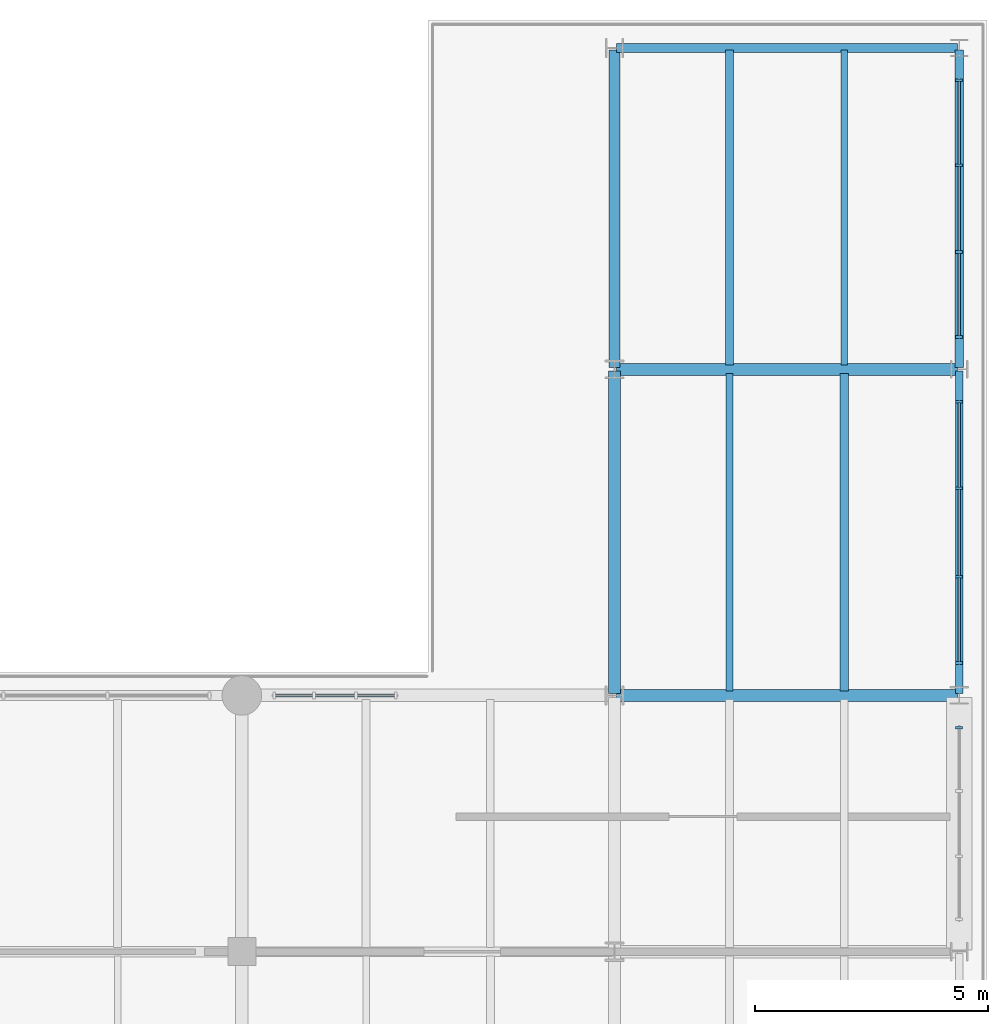
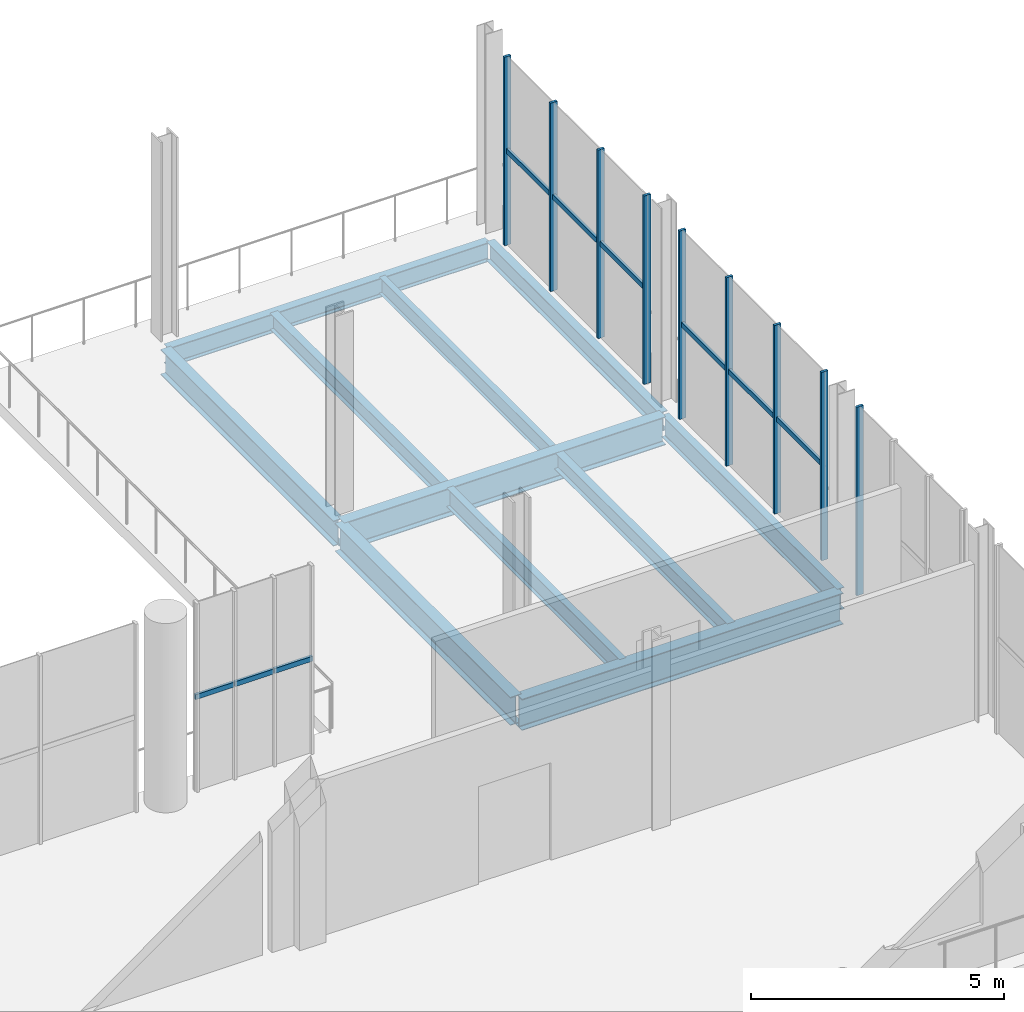
# One storey, part 41 of 70: 18 members, 11 beams, 4 elements without a shape of their own.
"""IFC4 building model written with IfcOpenShell, lengths in metres."""

import ifcopenshell
import ifcopenshell.guid

model = None  # the IFC model being written
_history = None  # IfcOwnerHistory: only IFC2X3 demands one
_inside = {}  # id of a spatial element -> (the spatial element, [elements in it])
_under = {}  # id of a project, library or spatial element -> (it, [spatial elements below it])
_declared = {}  # id of a project -> (the project, [libraries it declares])
_typed = {}  # id of a type object -> (the type object, [elements of that type])
_made_of = {}  # id of a material, layer set ... -> (it, [elements and type objects made of it])


def new_model(schema):
    """Start an empty IFC model of exactly this schema.

    Asked for "IFC4X3", IfcOpenShell would pick the latest addendum, in which some entities
    have other attributes; the version numbers below select the first issue.
    IFC2X3 requires an IfcOwnerHistory on every rooted entity: one is made here for all.
    """
    global model, _history
    if schema == "IFC4X3":
        model = ifcopenshell.file(schema_version=(4, 3, 0, 0))
    else:
        model = ifcopenshell.file(schema=schema)
    _inside.clear()
    _under.clear()
    _declared.clear()
    _typed.clear()
    _made_of.clear()
    _history = None
    if model.schema == "IFC2X3":
        org = make("IfcOrganization", Name="unknown")
        user = make(
            "IfcPersonAndOrganization",
            ThePerson=make("IfcPerson", FamilyName="unknown"),
            TheOrganization=org,
        )
        app = make(
            "IfcApplication",
            ApplicationDeveloper=org,
            Version="unknown",
            ApplicationFullName="unknown",
            ApplicationIdentifier="unknown",
        )
        _history = make(
            "IfcOwnerHistory",
            OwningUser=user,
            OwningApplication=app,
            ChangeAction="ADDED",
            CreationDate=0,
        )
    return model


def make(cls, **values):
    """One entity of the class cls with the attributes given. An attribute that is None is left unset."""
    return model.create_entity(
        cls, **{name: value for name, value in values.items() if value is not None}
    )


def rooted(cls, **values):
    """An entity with a GlobalId (a new one), such as an element, a storey or a relation."""
    return make(cls, GlobalId=ifcopenshell.guid.new(), OwnerHistory=_history, **values)


def si_unit(unit_type, name, prefix=None):
    """IfcSIUnit, for example si_unit("LENGTHUNIT", "METRE", prefix="MILLI")."""
    return make("IfcSIUnit", UnitType=unit_type, Prefix=prefix, Name=name)


def assignment(units):
    """IfcUnitAssignment: the units of a project."""
    return None if units is None else make("IfcUnitAssignment", Units=units)


def point(xyz):
    """IfcCartesianPoint."""
    return None if xyz is None else make("IfcCartesianPoint", Coordinates=xyz)


def direction(xyz):
    """IfcDirection."""
    return None if xyz is None else make("IfcDirection", DirectionRatios=xyz)


def frame(location, z_axis=None, x_axis=None):
    """IfcAxis2Placement3D, a coordinate frame: its origin and axes. An axis left out is left unset."""
    return make(
        "IfcAxis2Placement3D",
        Location=point(location),
        Axis=direction(z_axis),
        RefDirection=direction(x_axis),
    )


def frame_2d(location, x_axis=None):
    """IfcAxis2Placement2D, a coordinate frame in the plane: its origin and x axis."""
    return make(
        "IfcAxis2Placement2D", Location=point(location), RefDirection=direction(x_axis)
    )


def origin():
    """The frame at (0, 0, 0) with its axes left unset."""
    return frame((0.0, 0.0, 0.0))


def origin_2d():
    """The frame at (0, 0) in the plane with its x axis left unset."""
    return frame_2d((0.0, 0.0))


def place(relative_to, where):
    """IfcLocalPlacement: puts the frame where relative to a parent placement (None: the world)."""
    return make(
        "IfcLocalPlacement", PlacementRelTo=relative_to, RelativePlacement=where
    )


def context(
    kind, dimensions, precision=None, world=None, true_north=None, identifier=None
):
    """IfcGeometricRepresentationContext, for example the 3D "Model" context."""
    return make(
        "IfcGeometricRepresentationContext",
        ContextIdentifier=identifier,
        ContextType=kind,
        CoordinateSpaceDimension=dimensions,
        Precision=precision,
        WorldCoordinateSystem=world,
        TrueNorth=true_north,
    )


def subcontext(parent, identifier, kind, view, scale=None):
    """IfcGeometricRepresentationSubContext, for example "Body" below "Model"."""
    return make(
        "IfcGeometricRepresentationSubContext",
        ContextIdentifier=identifier,
        ContextType=kind,
        ParentContext=parent,
        TargetScale=scale,
        TargetView=view,
    )


def project(units=None, contexts=None):
    """IfcProject with its units and contexts."""
    return rooted(
        "IfcProject",
        Name="project",
        RepresentationContexts=contexts,
        UnitsInContext=assignment(units),
    )


def spatial(cls, under=None, at=None, **own):
    """A site, building, storey or space (cls), placed at a placement, below another one or the project."""
    s = rooted(cls, ObjectPlacement=at, **own)
    if under is not None:
        _under.setdefault(under.id(), (under, []))[1].append(s)
    return s


def profile(cls, at=None, kind="AREA", **sizes):
    """A parametric profile (cls). Its sizes go by their IFC names, for example OverallWidth=200.0."""
    return make(cls, ProfileType=kind, Position=at, **sizes)


def rectangle(**sizes):
    """IfcRectangleProfileDef."""
    return profile("IfcRectangleProfileDef", **sizes)


def i_section(**sizes):
    """IfcIShapeProfileDef."""
    return profile("IfcIShapeProfileDef", **sizes)


def extrude(swept, where, along, depth):
    """IfcExtrudedAreaSolid: the profile swept, set in the frame where, extruded along a direction by depth."""
    return make(
        "IfcExtrudedAreaSolid",
        SweptArea=swept,
        Position=where,
        ExtrudedDirection=direction(along),
        Depth=depth,
    )


def shape(context_of_items, identifier, shape_type, items):
    """IfcShapeRepresentation: the items that make up one representation, for example the "Body"."""
    return make(
        "IfcShapeRepresentation",
        ContextOfItems=context_of_items,
        RepresentationIdentifier=identifier,
        RepresentationType=shape_type,
        Items=items,
    )


def material(Name=None, Category=None):
    """IfcMaterial."""
    return make("IfcMaterial", Name=Name, Category=Category)


def material_profile(
    of_material, cross_section, Name=None, Category=None, Priority=None
):
    """IfcMaterialProfile: a cross section and its material."""
    return make(
        "IfcMaterialProfile",
        Name=Name,
        Material=of_material,
        Profile=cross_section,
        Priority=Priority,
        Category=Category,
    )


def profile_set(profiles, Name=None, composite=None):
    """IfcMaterialProfileSet."""
    return make(
        "IfcMaterialProfileSet",
        Name=Name,
        MaterialProfiles=profiles,
        CompositeProfile=composite,
    )


def made_of(thing, what):
    """Note that an element or type object is made of a material, layer set ...; save() writes the relation."""
    if what is not None:
        _made_of.setdefault(what.id(), (what, []))[1].append(thing)
    return thing


def type_object(cls, material=None, **own):
    """A type object (cls), such as IfcWallType, which elements share."""
    return made_of(rooted(cls, **own), material)


def element(
    cls,
    number,
    at=None,
    inside=None,
    cuts=None,
    type_object=None,
    material=None,
    context=None,
    identifier="Body",
    shape_type=None,
    held_by="IfcProductDefinitionShape",
    body=None,
    shapes=None,
    **own,
):
    """One element of the class cls, such as IfcWall. Its Tag is "e" and its number.

    at: its placement. inside: the storey or other place that contains it. cuts: it is an
    opening in that element (IfcRelVoidsElement). A single representation is given by context,
    identifier, shape_type and body (its items); several are given by shapes. held_by: the class
    of the entity that holds the representations. save() writes the other relations.
    """
    e = rooted(cls, Tag="e%d" % number, ObjectPlacement=at, **own)
    if body is not None:
        shapes = [shape(context, identifier, shape_type, body)]
    if shapes is not None:
        e.Representation = make(held_by, Representations=shapes)
    if inside is not None:
        _inside.setdefault(inside.id(), (inside, []))[1].append(e)
    if cuts is not None:
        rooted(
            "IfcRelVoidsElement", RelatingBuildingElement=cuts, RelatedOpeningElement=e
        )
    if type_object is not None:
        _typed.setdefault(type_object.id(), (type_object, []))[1].append(e)
    return made_of(e, material)


def aggregate(whole, parts):
    """IfcRelAggregates: a whole, such as a stair, and the parts it consists of."""
    return rooted("IfcRelAggregates", RelatingObject=whole, RelatedObjects=parts)


def save(model, path):
    """Write the relations noted so far, then the file.

    IfcRelAggregates (storeys below a building ...), IfcRelContainedInSpatialStructure (elements
    in a storey), IfcRelDefinesByType, IfcRelAssociatesMaterial and IfcRelDeclares: one each for
    every whole, place, type object, material and project.
    """
    for whole, parts in _under.values():
        aggregate(whole, parts)
    for where, things in _inside.values():
        rooted(
            "IfcRelContainedInSpatialStructure",
            RelatedElements=things,
            RelatingStructure=where,
        )
    for kind, things in _typed.values():
        rooted("IfcRelDefinesByType", RelatedObjects=things, RelatingType=kind)
    for what, things in _made_of.values():
        rooted("IfcRelAssociatesMaterial", RelatedObjects=things, RelatingMaterial=what)
    for by, libraries in _declared.values():
        rooted("IfcRelDeclares", RelatingContext=by, RelatedDefinitions=libraries)
    model.write(path)


model = new_model("IFC4")

# Units and contexts
model_context = context("Model", 3, precision=1e-05, world=origin(), true_north=direction((0.0, 1.0)))
body_context = subcontext(model_context, "Body", "Model", "MODEL_VIEW")
ifc_project = project(units=[si_unit("LENGTHUNIT", "METRE"), si_unit("AREAUNIT", "SQUARE_METRE"), si_unit("VOLUMEUNIT", "CUBIC_METRE"), si_unit("PLANEANGLEUNIT", "RADIAN"), si_unit("MASSUNIT", "GRAM", prefix="KILO")], contexts=[model_context])

# Site, building, storey
site_placement = place(None, origin())
site = spatial("IfcSite", under=ifc_project, at=site_placement, CompositionType="ELEMENT")
building_placement = place(site_placement, origin())
building = spatial("IfcBuilding", under=site, at=building_placement, Name="Brisemont Oceanarium", CompositionType="ELEMENT")
storey_placement = place(building_placement, frame((0.0, 0.0, 10.199951171875)))
storey = spatial("IfcBuildingStorey", under=building, at=storey_placement, Name="L02", CompositionType="ELEMENT", Elevation=10.199951171875)

# Beams
ifc_material_1 = material(Name="Structural Steel ASTM A992 Gr.50", Category="steel")
ifc_material_profile_1 = material_profile(ifc_material_1, i_section(OverallWidth=0.139892578125, OverallDepth=0.39892578125, WebThickness=0.00634765625, FlangeThickness=0.0087890625, FilletRadius=0.010009765625, at=origin_2d()), Name="W16X26")
ifc_profile_set_1 = profile_set([ifc_material_profile_1], Name="Structural Steel ASTM A992 Gr.50")
beam_type_1 = type_object("IfcBeamType", Name="BM-W16X26", PredefinedType="JOIST", material=ifc_profile_set_1)
beam_1_placement = place(storey_placement, frame((156.933349609375, 100.590087890625, -0.49951171875), z_axis=(0.0, 1.0, 0.0), x_axis=(-1.0, 0.0, 0.0)))
element("IfcBeam", 1, at=beam_1_placement, inside=storey, type_object=beam_type_1, Name="V6 L02 secondary floor beam", PredefinedType="JOIST", context=body_context, shape_type="SweptSolid", body=[
    extrude(i_section(OverallWidth=0.139892578125, OverallDepth=0.39892578125, WebThickness=0.00634765625, FlangeThickness=0.0087890625, FilletRadius=0.010009765625, at=origin_2d()), origin(), (0.0, 0.0, 1.0), 6.77001953125),
])
ifc_material_2 = material(Name="Structural Steel ASTM A992 Gr.50", Category="steel")
ifc_material_profile_2 = material_profile(ifc_material_2, i_section(OverallWidth=0.177978515625, OverallDepth=0.404052734375, WebThickness=0.007568359375, FlangeThickness=0.010986328125, FilletRadius=0.010009765625, at=origin_2d()), Name="W16X36")
ifc_profile_set_2 = profile_set([ifc_material_profile_2], Name="Structural Steel ASTM A992 Gr.50")
beam_type_2 = type_object("IfcBeamType", Name="BM-W16X36", PredefinedType="JOIST", material=ifc_profile_set_2)
beam_2_placement = place(storey_placement, frame((156.933349609375, 93.590087890625, -0.501953125), z_axis=(0.0, 1.0, 0.0), x_axis=(-1.0, 0.0, 0.0)))
element("IfcBeam", 2, at=beam_2_placement, inside=storey, type_object=beam_type_2, Name="V6 L02 secondary floor beam", PredefinedType="JOIST", context=body_context, shape_type="SweptSolid", body=[
    extrude(i_section(OverallWidth=0.177978515625, OverallDepth=0.404052734375, WebThickness=0.007568359375, FlangeThickness=0.010986328125, FilletRadius=0.010009765625, at=origin_2d()), origin(), (0.0, 0.0, 1.0), 6.81982421875),
])
beam_3_placement = place(storey_placement, frame((154.466796875, 100.590087890625, -0.501953125), z_axis=(0.0, 1.0, 0.0), x_axis=(-1.0, 0.0, 0.0)))
element("IfcBeam", 3, at=beam_3_placement, inside=storey, type_object=beam_type_2, Name="V6 L02 secondary floor beam", PredefinedType="JOIST", context=body_context, shape_type="SweptSolid", body=[
    extrude(i_section(OverallWidth=0.177978515625, OverallDepth=0.404052734375, WebThickness=0.007568359375, FlangeThickness=0.010986328125, FilletRadius=0.010009765625, at=origin_2d()), origin(), (0.0, 0.0, 1.0), 6.77001953125),
])
ifc_material_3 = material(Name="Structural Steel ASTM A992 Gr.50", Category="steel")
ifc_material_profile_3 = material_profile(ifc_material_3, i_section(OverallWidth=0.153076171875, OverallDepth=0.455078125, WebThickness=0.008056640625, FlangeThickness=0.01318359375, FilletRadius=0.010986328125, at=origin_2d()), Name="W18X40")
ifc_profile_set_3 = profile_set([ifc_material_profile_3], Name="Structural Steel ASTM A992 Gr.50")
beam_type_3 = type_object("IfcBeamType", Name="BM-W18X40", PredefinedType="JOIST", material=ifc_profile_set_3)
beam_4_placement = place(storey_placement, frame((154.466796875, 93.590087890625, -0.52734375), z_axis=(0.0, 1.0, 0.0), x_axis=(-1.0, 0.0, 0.0)))
element("IfcBeam", 4, at=beam_4_placement, inside=storey, type_object=beam_type_3, Name="V6 L02 secondary floor beam", PredefinedType="JOIST", context=body_context, shape_type="SweptSolid", body=[
    extrude(i_section(OverallWidth=0.153076171875, OverallDepth=0.455078125, WebThickness=0.008056640625, FlangeThickness=0.01318359375, FilletRadius=0.010986328125, at=origin_2d()), origin(), (0.0, 0.0, 1.0), 6.81982421875),
])
ifc_material_4 = material(Name="Structural Steel ASTM A992 Gr.50", Category="steel")
ifc_material_profile_4 = material_profile(ifc_material_4, i_section(OverallWidth=0.19091796875, OverallDepth=0.4599609375, WebThickness=0.010009765625, FlangeThickness=0.01611328125, FilletRadius=0.010986328125, at=origin_2d()), Name="W18X55")
ifc_profile_set_4 = profile_set([ifc_material_profile_4], Name="Structural Steel ASTM A992 Gr.50")
beam_type_4 = type_object("IfcBeamType", Name="BM-W18X55", PredefinedType="SPANDREL", material=ifc_profile_set_4)
beam_5_placement = place(storey_placement, frame((152.0400390625, 107.39990234375, -0.530029296875), z_axis=(1.0, 0.0, 0.0), x_axis=(0.0, 1.0, 0.0)))
element("IfcBeam", 5, at=beam_5_placement, inside=storey, type_object=beam_type_4, Name="V6 L02 EW girder", PredefinedType="SPANDREL", context=body_context, shape_type="SweptSolid", body=[
    extrude(i_section(OverallWidth=0.19091796875, OverallDepth=0.4599609375, WebThickness=0.010009765625, FlangeThickness=0.01611328125, FilletRadius=0.010986328125, at=origin_2d()), origin(), (0.0, 0.0, 1.0), 7.320068359375),
])
beam_6_placement = place(storey_placement, frame((159.39990234375, 100.5400390625, -0.530029296875), z_axis=(0.0, 1.0, 0.0), x_axis=(-1.0, 0.0, 0.0)))
element("IfcBeam", 6, at=beam_6_placement, inside=storey, type_object=beam_type_4, Name="V6 L02 NS girder", PredefinedType="SPANDREL", context=body_context, shape_type="SweptSolid", body=[
    extrude(i_section(OverallWidth=0.19091796875, OverallDepth=0.4599609375, WebThickness=0.010009765625, FlangeThickness=0.01611328125, FilletRadius=0.010986328125, at=origin_2d()), origin(), (0.0, 0.0, 1.0), 6.820068359375),
])
ifc_material_5 = material(Name="Structural Steel ASTM A992 Gr.50", Category="steel")
ifc_material_profile_5 = material_profile(ifc_material_5, i_section(OverallWidth=0.166015625, OverallDepth=0.528076171875, WebThickness=0.009765625, FlangeThickness=0.013671875, FilletRadius=0.012939453125, at=origin_2d()), Name="W21X50")
ifc_profile_set_5 = profile_set([ifc_material_profile_5], Name="Structural Steel ASTM A992 Gr.50")
beam_type_5 = type_object("IfcBeamType", Name="BM-W21X50", PredefinedType="SPANDREL", material=ifc_profile_set_5)
beam_7_placement = place(storey_placement, frame((159.39990234375, 93.5400390625, -0.56396484375), z_axis=(0.0, 1.0, 0.0), x_axis=(-1.0, 0.0, 0.0)))
element("IfcBeam", 7, at=beam_7_placement, inside=storey, type_object=beam_type_5, Name="V6 L02 NS girder", PredefinedType="SPANDREL", context=body_context, shape_type="SweptSolid", body=[
    extrude(i_section(OverallWidth=0.166015625, OverallDepth=0.528076171875, WebThickness=0.009765625, FlangeThickness=0.013671875, FilletRadius=0.012939453125, at=origin_2d()), origin(), (0.0, 0.0, 1.0), 6.919921875),
])
ifc_material_6 = material(Name="Structural Steel ASTM A992 Gr.50", Category="steel")
ifc_material_profile_6 = material_profile(ifc_material_6, i_section(OverallWidth=0.22900390625, OverallDepth=0.612060546875, WebThickness=0.011962890625, FlangeThickness=0.01953125, FilletRadius=0.012939453125, at=origin_2d()), Name="W24X84")
ifc_profile_set_6 = profile_set([ifc_material_profile_6], Name="Structural Steel ASTM A992 Gr.50")
beam_type_6 = type_object("IfcBeamType", Name="BM-W24X84", PredefinedType="BEAM", material=ifc_profile_set_6)
beam_8_placement = place(storey_placement, frame((152.0, 100.5400390625, -0.60595703125), z_axis=(0.0, 1.0, 0.0), x_axis=(-1.0, 0.0, 0.0)))
element("IfcBeam", 8, at=beam_8_placement, inside=storey, type_object=beam_type_6, Name="V6 L02 NS girder", PredefinedType="BEAM", context=body_context, shape_type="SweptSolid", body=[
    extrude(i_section(OverallWidth=0.22900390625, OverallDepth=0.612060546875, WebThickness=0.011962890625, FlangeThickness=0.01953125, FilletRadius=0.012939453125, at=origin_2d()), origin(), (0.0, 0.0, 1.0), 6.820068359375),
])
ifc_material_7 = material(Name="Structural Steel ASTM A992 Gr.50", Category="steel")
ifc_material_profile_7 = material_profile(ifc_material_7, i_section(OverallWidth=0.2529296875, OverallDepth=0.677978515625, WebThickness=0.01171875, FlangeThickness=0.016357421875, FilletRadius=0.014892578125, at=origin_2d()), Name="W27X84")
ifc_profile_set_7 = profile_set([ifc_material_profile_7], Name="Structural Steel ASTM A992 Gr.50")
beam_type_7 = type_object("IfcBeamType", Name="BM-W27X84", PredefinedType="BEAM", material=ifc_profile_set_7)
beam_9_placement = place(storey_placement, frame((152.0, 93.5400390625, -0.638916015625), z_axis=(0.0, 1.0, 0.0), x_axis=(-1.0, 0.0, 0.0)))
element("IfcBeam", 9, at=beam_9_placement, inside=storey, type_object=beam_type_7, Name="V6 L02 NS girder", PredefinedType="BEAM", context=body_context, shape_type="SweptSolid", body=[
    extrude(i_section(OverallWidth=0.2529296875, OverallDepth=0.677978515625, WebThickness=0.01171875, FlangeThickness=0.016357421875, FilletRadius=0.014892578125, at=origin_2d()), origin(), (0.0, 0.0, 1.0), 6.919921875),
])
ifc_material_8 = material(Name="Structural Steel ASTM A992 Gr.50", Category="steel")
ifc_material_profile_8 = material_profile(ifc_material_8, i_section(OverallWidth=0.25390625, OverallDepth=0.68310546875, WebThickness=0.012451171875, FlangeThickness=0.018798828125, FilletRadius=0.014892578125, at=origin_2d()), Name="W27X94")
ifc_profile_set_8 = profile_set([ifc_material_profile_8], Name="Structural Steel ASTM A992 Gr.50")
beam_type_8 = type_object("IfcBeamType", Name="BM-W27X94", PredefinedType="BEAM", material=ifc_profile_set_8)
beam_10_placement = place(storey_placement, frame((152.0400390625, 100.5, -0.641357421875), z_axis=(1.0, 0.0, 0.0), x_axis=(0.0, 1.0, 0.0)))
element("IfcBeam", 10, at=beam_10_placement, inside=storey, type_object=beam_type_8, Name="V6 L02 EW girder", PredefinedType="BEAM", context=body_context, shape_type="SweptSolid", body=[
    extrude(i_section(OverallWidth=0.25390625, OverallDepth=0.68310546875, WebThickness=0.012451171875, FlangeThickness=0.018798828125, FilletRadius=0.014892578125, at=origin_2d()), origin(), (0.0, 0.0, 1.0), 7.320068359375),
])
ifc_material_9 = material(Name="Structural Steel ASTM A992 Gr.50", Category="steel")
ifc_material_profile_9 = material_profile(ifc_material_9, i_section(OverallWidth=0.264892578125, OverallDepth=0.7529296875, WebThickness=0.01318359375, FlangeThickness=0.01708984375, FilletRadius=0.01611328125, at=origin_2d()), Name="W30X99")
ifc_profile_set_9 = profile_set([ifc_material_profile_9], Name="Structural Steel ASTM A992 Gr.50")
beam_type_9 = type_object("IfcBeamType", Name="BM-W30X99", PredefinedType="BEAM", material=ifc_profile_set_9)
beam_11_placement = place(storey_placement, frame((152.0400390625, 93.5, -0.676513671875), z_axis=(1.0, 0.0, 0.0), x_axis=(0.0, 1.0, 0.0)))
element("IfcBeam", 11, at=beam_11_placement, inside=storey, type_object=beam_type_9, Name="V6 L02 EW girder", PredefinedType="BEAM", context=body_context, shape_type="SweptSolid", body=[
    extrude(i_section(OverallWidth=0.264892578125, OverallDepth=0.7529296875, WebThickness=0.01318359375, FlangeThickness=0.01708984375, FilletRadius=0.01611328125, at=origin_2d()), origin(), (0.0, 0.0, 1.0), 7.320068359375),
])

# Curtain wall, member
ifc_material_10 = material(Name="Anodized Extruded Aluminum 6063-T6", Category="aluminium")
curtain_wall_type = type_object("IfcCurtainWallType", Name="CW-RES-52X41", PredefinedType="NOTDEFINED", material=ifc_material_10)
curtain_wall_1_placement = place(storey_placement, origin())
curtain_wall_1 = element("IfcCurtainWall", 12, at=curtain_wall_1_placement, inside=storey, type_object=curtain_wall_type, Name="CW-18 curtain wall CW-V6-E-L02-02", PredefinedType="NOTDEFINED")
ifc_material_11 = material(Name="Anodized Extruded Aluminum 6063-T6", Category="aluminium")
ifc_material_profile_10 = material_profile(ifc_material_11, rectangle(XDim=0.06005859375, YDim=0.14990234375, at=origin_2d()), Name="CWM-60X150")
ifc_profile_set_10 = profile_set([ifc_material_profile_10], Name="Anodized Extruded Aluminum 6063-T6")
member_type_1 = type_object("IfcMemberType", Name="MEM-CWM-60", PredefinedType="MULLION", material=ifc_profile_set_10)
member_1_placement = place(storey_placement, frame((159.39990234375, 92.804931640625, 0.0), z_axis=(0.0, 0.0, 1.0), x_axis=(0.0, 1.0, 0.0)))
member_1 = element("IfcMember", 13, at=member_1_placement, type_object=member_type_1, Name="CW-V6-E-L02-02 mullion 4", PredefinedType="MULLION", context=body_context, shape_type="SweptSolid", body=[
    extrude(rectangle(XDim=0.06005859375, YDim=0.14990234375, at=origin_2d()), origin(), (0.0, 0.0, 1.0), 4.5400390625),
])
aggregate(curtain_wall_1, [member_1])

# Curtain wall, members
curtain_wall_2_placement = place(storey_placement, origin())
curtain_wall_2 = element("IfcCurtainWall", 14, at=curtain_wall_2_placement, inside=storey, type_object=curtain_wall_type, Name="CW-18 curtain wall CW-V6-E-L02-03", PredefinedType="NOTDEFINED")
member_2_placement = place(storey_placement, frame((159.39990234375, 94.195068359375, 0.0), z_axis=(0.0, 0.0, 1.0), x_axis=(0.0, 1.0, 0.0)))
member_2 = element("IfcMember", 15, at=member_2_placement, type_object=member_type_1, Name="CW-V6-E-L02-03 mullion 1", PredefinedType="MULLION", context=body_context, shape_type="SweptSolid", body=[
    extrude(rectangle(XDim=0.06005859375, YDim=0.14990234375, at=origin_2d()), origin(), (0.0, 0.0, 1.0), 4.5400390625),
])
member_3_placement = place(storey_placement, frame((159.39990234375, 96.050048828125, 0.0), z_axis=(0.0, 0.0, 1.0), x_axis=(0.0, 1.0, 0.0)))
member_3 = element("IfcMember", 16, at=member_3_placement, type_object=member_type_1, Name="CW-V6-E-L02-03 mullion 2", PredefinedType="MULLION", context=body_context, shape_type="SweptSolid", body=[
    extrude(rectangle(XDim=0.06005859375, YDim=0.14990234375, at=origin_2d()), origin(), (0.0, 0.0, 1.0), 4.5400390625),
])
member_4_placement = place(storey_placement, frame((159.39990234375, 97.949951171875, 0.0), z_axis=(0.0, 0.0, 1.0), x_axis=(0.0, 1.0, 0.0)))
member_4 = element("IfcMember", 17, at=member_4_placement, type_object=member_type_1, Name="CW-V6-E-L02-03 mullion 3", PredefinedType="MULLION", context=body_context, shape_type="SweptSolid", body=[
    extrude(rectangle(XDim=0.06005859375, YDim=0.14990234375, at=origin_2d()), origin(), (0.0, 0.0, 1.0), 4.5400390625),
])
member_5_placement = place(storey_placement, frame((159.39990234375, 99.804931640625, 0.0), z_axis=(0.0, 0.0, 1.0), x_axis=(0.0, 1.0, 0.0)))
member_5 = element("IfcMember", 18, at=member_5_placement, type_object=member_type_1, Name="CW-V6-E-L02-03 mullion 4", PredefinedType="MULLION", context=body_context, shape_type="SweptSolid", body=[
    extrude(rectangle(XDim=0.06005859375, YDim=0.14990234375, at=origin_2d()), origin(), (0.0, 0.0, 1.0), 4.5400390625),
])

curtain_wall_3_placement = place(storey_placement, origin())
curtain_wall_3 = element("IfcCurtainWall", 19, at=curtain_wall_3_placement, inside=storey, type_object=curtain_wall_type, Name="CW-18 curtain wall CW-V6-E-L02-04", PredefinedType="NOTDEFINED")
member_6_placement = place(storey_placement, frame((159.39990234375, 101.195068359375, 0.0), z_axis=(0.0, 0.0, 1.0), x_axis=(0.0, 1.0, 0.0)))
member_6 = element("IfcMember", 20, at=member_6_placement, type_object=member_type_1, Name="CW-V6-E-L02-04 mullion 1", PredefinedType="MULLION", context=body_context, shape_type="SweptSolid", body=[
    extrude(rectangle(XDim=0.06005859375, YDim=0.14990234375, at=origin_2d()), origin(), (0.0, 0.0, 1.0), 4.5400390625),
])
member_7_placement = place(storey_placement, frame((159.39990234375, 103.0166015625, 0.0), z_axis=(0.0, 0.0, 1.0), x_axis=(0.0, 1.0, 0.0)))
member_7 = element("IfcMember", 21, at=member_7_placement, type_object=member_type_1, Name="CW-V6-E-L02-04 mullion 2", PredefinedType="MULLION", context=body_context, shape_type="SweptSolid", body=[
    extrude(rectangle(XDim=0.06005859375, YDim=0.14990234375, at=origin_2d()), origin(), (0.0, 0.0, 1.0), 4.5400390625),
])
member_8_placement = place(storey_placement, frame((159.39990234375, 104.88330078125, 0.0), z_axis=(0.0, 0.0, 1.0), x_axis=(0.0, 1.0, 0.0)))
member_8 = element("IfcMember", 22, at=member_8_placement, type_object=member_type_1, Name="CW-V6-E-L02-04 mullion 3", PredefinedType="MULLION", context=body_context, shape_type="SweptSolid", body=[
    extrude(rectangle(XDim=0.06005859375, YDim=0.14990234375, at=origin_2d()), origin(), (0.0, 0.0, 1.0), 4.5400390625),
])
member_9_placement = place(storey_placement, frame((159.39990234375, 106.705078125, 0.0), z_axis=(0.0, 0.0, 1.0), x_axis=(0.0, 1.0, 0.0)))
member_9 = element("IfcMember", 23, at=member_9_placement, type_object=member_type_1, Name="CW-V6-E-L02-04 mullion 4", PredefinedType="MULLION", context=body_context, shape_type="SweptSolid", body=[
    extrude(rectangle(XDim=0.06005859375, YDim=0.14990234375, at=origin_2d()), origin(), (0.0, 0.0, 1.0), 4.5400390625),
])

# Member
ifc_material_12 = material(Name="Anodized Extruded Aluminum 6063-T6", Category="aluminium")
ifc_material_profile_11 = material_profile(ifc_material_12, rectangle(XDim=0.06005859375, YDim=0.1201171875, at=origin_2d()), Name="CWT-60X120")
ifc_profile_set_11 = profile_set([ifc_material_profile_11], Name="Anodized Extruded Aluminum 6063-T6")
member_type_2 = type_object("IfcMemberType", Name="MEM-CWT-60", PredefinedType="USERDEFINED", material=ifc_profile_set_11)
member_10_placement = place(storey_placement, frame((159.39990234375, 94.1650390625, 2.27001953125), z_axis=(0.0, 1.0, 0.0), x_axis=(-1.0, 0.0, 0.0)))
member_10 = element("IfcMember", 24, at=member_10_placement, type_object=member_type_2, Name="CW-V6-E-L02-03 transom 1.1", ObjectType="TRANSOM", PredefinedType="USERDEFINED", context=body_context, shape_type="SweptSolid", body=[
    extrude(rectangle(XDim=0.06005859375, YDim=0.1201171875, at=origin_2d()), origin(), (0.0, 0.0, 1.0), 1.869873046875),
])

member_11_placement = place(storey_placement, frame((159.39990234375, 96.06494140625, 2.27001953125), z_axis=(0.0, 1.0, 0.0), x_axis=(-1.0, 0.0, 0.0)))
member_11 = element("IfcMember", 25, at=member_11_placement, type_object=member_type_2, Name="CW-V6-E-L02-03 transom 2.1", ObjectType="TRANSOM", PredefinedType="USERDEFINED", context=body_context, shape_type="SweptSolid", body=[
    extrude(rectangle(XDim=0.06005859375, YDim=0.1201171875, at=origin_2d()), origin(), (0.0, 0.0, 1.0), 1.8701171875),
])

member_12_placement = place(storey_placement, frame((159.39990234375, 97.965087890625, 2.27001953125), z_axis=(0.0, 1.0, 0.0), x_axis=(-1.0, 0.0, 0.0)))
member_12 = element("IfcMember", 26, at=member_12_placement, type_object=member_type_2, Name="CW-V6-E-L02-03 transom 3.1", ObjectType="TRANSOM", PredefinedType="USERDEFINED", context=body_context, shape_type="SweptSolid", body=[
    extrude(rectangle(XDim=0.06005859375, YDim=0.1201171875, at=origin_2d()), origin(), (0.0, 0.0, 1.0), 1.869873046875),
])

aggregate(curtain_wall_2, [member_2, member_3, member_4, member_5, member_10, member_11, member_12])

member_13_placement = place(storey_placement, frame((159.39990234375, 101.1650390625, 2.27001953125), z_axis=(0.0, 1.0, 0.0), x_axis=(-1.0, 0.0, 0.0)))
member_13 = element("IfcMember", 27, at=member_13_placement, type_object=member_type_2, Name="CW-V6-E-L02-04 transom 1.1", ObjectType="TRANSOM", PredefinedType="USERDEFINED", context=body_context, shape_type="SweptSolid", body=[
    extrude(rectangle(XDim=0.06005859375, YDim=0.1201171875, at=origin_2d()), origin(), (0.0, 0.0, 1.0), 1.836669921875),
])

member_14_placement = place(storey_placement, frame((159.39990234375, 103.03173828125, 2.27001953125), z_axis=(0.0, 1.0, 0.0), x_axis=(-1.0, 0.0, 0.0)))
member_14 = element("IfcMember", 28, at=member_14_placement, type_object=member_type_2, Name="CW-V6-E-L02-04 transom 2.1", ObjectType="TRANSOM", PredefinedType="USERDEFINED", context=body_context, shape_type="SweptSolid", body=[
    extrude(rectangle(XDim=0.06005859375, YDim=0.1201171875, at=origin_2d()), origin(), (0.0, 0.0, 1.0), 1.836669921875),
])

member_15_placement = place(storey_placement, frame((159.39990234375, 104.898193359375, 2.27001953125), z_axis=(0.0, 1.0, 0.0), x_axis=(-1.0, 0.0, 0.0)))
member_15 = element("IfcMember", 29, at=member_15_placement, type_object=member_type_2, Name="CW-V6-E-L02-04 transom 3.1", ObjectType="TRANSOM", PredefinedType="USERDEFINED", context=body_context, shape_type="SweptSolid", body=[
    extrude(rectangle(XDim=0.06005859375, YDim=0.1201171875, at=origin_2d()), origin(), (0.0, 0.0, 1.0), 1.8369140625),
])

aggregate(curtain_wall_3, [member_6, member_7, member_8, member_9, member_13, member_14, member_15])

# Curtain wall, members
curtain_wall_4_placement = place(storey_placement, origin())
curtain_wall_4 = element("IfcCurtainWall", 30, at=curtain_wall_4_placement, inside=storey, type_object=curtain_wall_type, Name="CW-18 curtain wall CW-V6-CL-L02-03", PredefinedType="NOTDEFINED")
member_16_placement = place(storey_placement, frame((144.6650390625, 93.5, 2.27001953125), z_axis=(1.0, 0.0, 0.0), x_axis=(0.0, 1.0, 0.0)))
member_16 = element("IfcMember", 31, at=member_16_placement, type_object=member_type_2, Name="CW-V6-CL-L02-03 transom 1.1", ObjectType="TRANSOM", PredefinedType="USERDEFINED", context=body_context, shape_type="SweptSolid", body=[
    extrude(rectangle(XDim=0.06005859375, YDim=0.1201171875, at=origin_2d()), origin(), (0.0, 0.0, 1.0), 0.869873046875),
])
member_17_placement = place(storey_placement, frame((145.56494140625, 93.5, 2.27001953125), z_axis=(1.0, 0.0, 0.0), x_axis=(0.0, 1.0, 0.0)))
member_17 = element("IfcMember", 32, at=member_17_placement, type_object=member_type_2, Name="CW-V6-CL-L02-03 transom 2.1", ObjectType="TRANSOM", PredefinedType="USERDEFINED", context=body_context, shape_type="SweptSolid", body=[
    extrude(rectangle(XDim=0.06005859375, YDim=0.1201171875, at=origin_2d()), origin(), (0.0, 0.0, 1.0), 0.8701171875),
])
member_18_placement = place(storey_placement, frame((146.465087890625, 93.5, 2.27001953125), z_axis=(1.0, 0.0, 0.0), x_axis=(0.0, 1.0, 0.0)))
member_18 = element("IfcMember", 33, at=member_18_placement, type_object=member_type_2, Name="CW-V6-CL-L02-03 transom 3.1", ObjectType="TRANSOM", PredefinedType="USERDEFINED", context=body_context, shape_type="SweptSolid", body=[
    extrude(rectangle(XDim=0.06005859375, YDim=0.1201171875, at=origin_2d()), origin(), (0.0, 0.0, 1.0), 0.869873046875),
])
aggregate(curtain_wall_4, [member_16, member_17, member_18])

save(model, "model.ifc")
